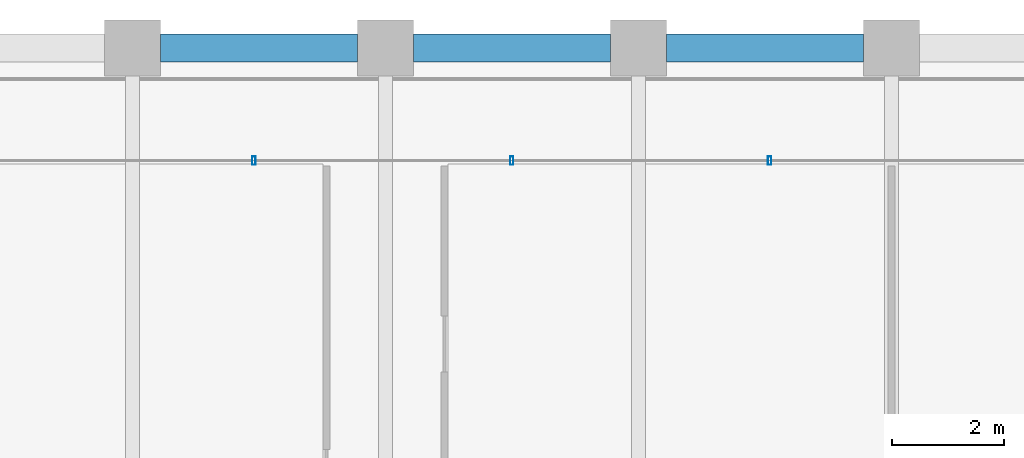
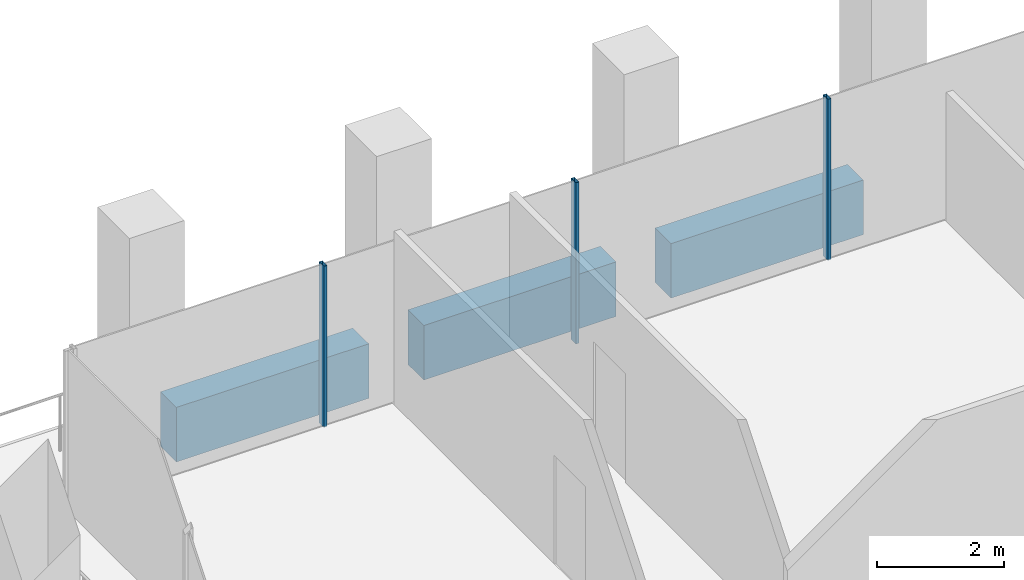
# One storey, part 23 of 45: 3 beams, 3 members, 1 element without a shape of its own.
"""IFC4 building model written with IfcOpenShell, lengths in metres."""

from ifc_helpers import new_model, si_unit, direction, frame, origin, origin_2d, place, context, subcontext, project, spatial, rectangle, hollow_rectangle, extrude, material, material_profile, profile_set, type_object, element, aggregate, save


model = new_model("IFC4")

# Units and contexts
model_context = context("Model", 3, precision=1e-05, world=origin(), true_north=direction((0.0, 1.0)))
body_context = subcontext(model_context, "Body", "Model", "MODEL_VIEW")
ifc_project = project(units=[si_unit("LENGTHUNIT", "METRE"), si_unit("AREAUNIT", "SQUARE_METRE"), si_unit("VOLUMEUNIT", "CUBIC_METRE"), si_unit("PLANEANGLEUNIT", "RADIAN"), si_unit("MASSUNIT", "GRAM", prefix="KILO")], contexts=[model_context])

# Site, building, storey
site_placement = place(None, origin())
site = spatial("IfcSite", under=ifc_project, at=site_placement, CompositionType="ELEMENT")
building_placement = place(site_placement, origin())
building = spatial("IfcBuilding", under=site, at=building_placement, Name="Altepetl Exchange Towers", CompositionType="ELEMENT")
storey_placement = place(building_placement, frame((0.0, 0.0, 110.0)))
storey = spatial("IfcBuildingStorey", under=building, at=storey_placement, Name="L27", CompositionType="ELEMENT", Elevation=110.0)

# Curtain wall, members
ifc_material_1 = material(Name="Aluminium 6063-T6 glazing", Category="aluminium")
curtain_wall_type = type_object("IfcCurtainWallType", Name="Loggia glazing system", PredefinedType="NOTDEFINED", material=ifc_material_1)
curtain_wall_placement = place(storey_placement, origin())
curtain_wall = element("IfcCurtainWall", 1, at=curtain_wall_placement, inside=storey, type_object=curtain_wall_type, Name="CW1 run", PredefinedType="NOTDEFINED")
ifc_material_2 = material(Name="Aluminium 6063-T6", Category="aluminium")
ifc_material_profile_1 = material_profile(ifc_material_2, hollow_rectangle(XDim=0.06005859375, YDim=0.14990234375, WallThickness=0.0029296875, at=origin_2d()), Name="Mullion 60x150 aluminium")
ifc_profile_set_1 = profile_set([ifc_material_profile_1], Name="Aluminium 6063-T6")
member_type = type_object("IfcMemberType", Name="Mullion 60x150 aluminium", PredefinedType="MULLION", material=ifc_profile_set_1)
member_1_placement = place(storey_placement, frame((56.330078125, 70.0, 0.0), z_axis=(0.0, 0.0, 1.0), x_axis=(-1.0, 0.0, 0.0)))
member_1 = element("IfcMember", 2, at=member_1_placement, type_object=member_type, Name="MU1 mullion", PredefinedType="MULLION", context=body_context, shape_type="SweptSolid", body=[
    extrude(hollow_rectangle(XDim=0.06005859375, YDim=0.14990234375, WallThickness=0.0029296875, at=origin_2d()), origin(), (0.0, 0.0, 1.0), 3.10009765625),
])
member_2_placement = place(storey_placement, frame((51.7451171875, 70.0, 0.0), z_axis=(0.0, 0.0, 1.0), x_axis=(-1.0, 0.0, 0.0)))
member_2 = element("IfcMember", 3, at=member_2_placement, type_object=member_type, Name="MU1 mullion", PredefinedType="MULLION", context=body_context, shape_type="SweptSolid", body=[
    extrude(hollow_rectangle(XDim=0.06005859375, YDim=0.14990234375, WallThickness=0.0029296875, at=origin_2d()), origin(), (0.0, 0.0, 1.0), 3.10009765625),
])
member_3_placement = place(storey_placement, frame((47.159912109375, 70.0, 0.0), z_axis=(0.0, 0.0, 1.0), x_axis=(-1.0, 0.0, 0.0)))
member_3 = element("IfcMember", 4, at=member_3_placement, type_object=member_type, Name="MU1 mullion", PredefinedType="MULLION", context=body_context, shape_type="SweptSolid", body=[
    extrude(hollow_rectangle(XDim=0.06005859375, YDim=0.14990234375, WallThickness=0.0029296875, at=origin_2d()), origin(), (0.0, 0.0, 1.0), 3.10009765625),
])
aggregate(curtain_wall, [member_1, member_2, member_3])

# Beams
ifc_material_3 = material(Name="Concrete C50/60 precast with cantera rosa facing", Category="concrete")
ifc_material_profile_2 = material_profile(ifc_material_3, rectangle(XDim=0.5, YDim=1.050048828125, at=origin_2d()), Name="500 x 1050")
ifc_profile_set_2 = profile_set([ifc_material_profile_2], Name="Concrete C50/60 precast with cantera rosa facing")
beam_type = type_object("IfcBeamType", Name="Spandrel beam 500x1050 cantera rosa", PredefinedType="SPANDREL", material=ifc_profile_set_2)
for number, where, z_axis, x_axis, name in (
    (5, (58.0, 72.0, -0.675048828125), (-1.0, 0.0, 0.0), (0.0, -1.0, 0.0), "sp:A:L27:026"),
    (6, (53.5, 72.0, -0.675048828125), (-1.0, 0.0, 0.0), (0.0, -1.0, 0.0), "sp:A:L27:027"),
    (7, (49.0, 72.0, -0.675048828125), (-1.0, 0.0, 0.0), (0.0, -1.0, 0.0), "sp:A:L27:028"),
):
    element("IfcBeam", number, at=place(storey_placement, frame(where, z_axis=z_axis, x_axis=x_axis)), inside=storey, type_object=beam_type, Name=name, PredefinedType="SPANDREL", context=body_context, shape_type="SweptSolid", body=[
        extrude(rectangle(XDim=0.5, YDim=1.050048828125, at=origin_2d()), origin(), (0.0, 0.0, 1.0), 3.5),
    ])

save(model, "model.ifc")
